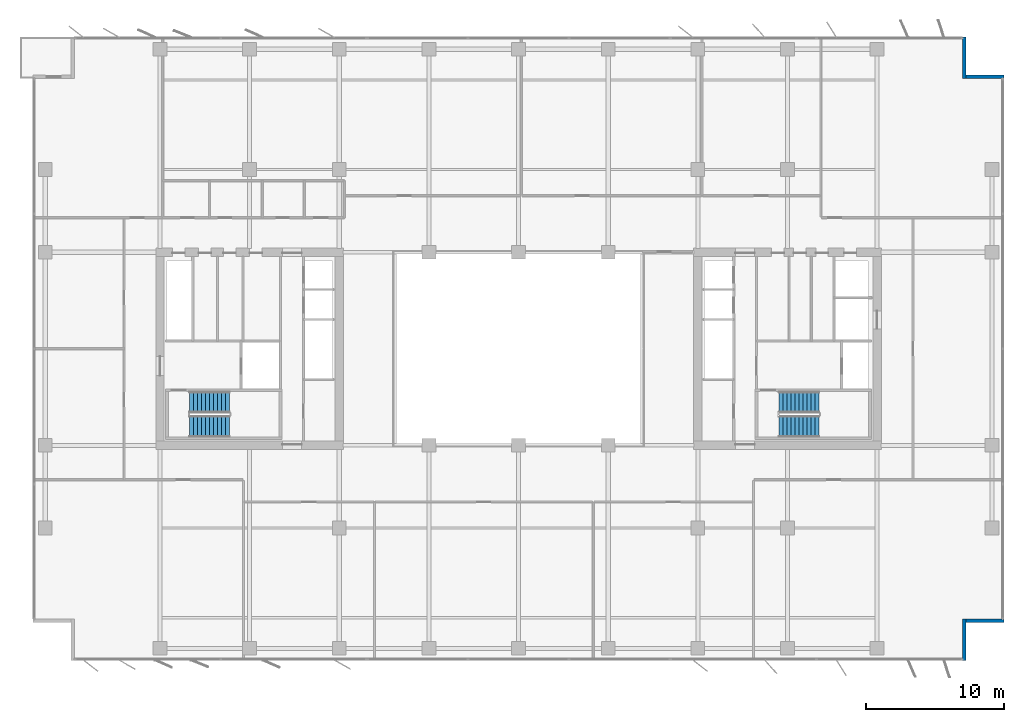
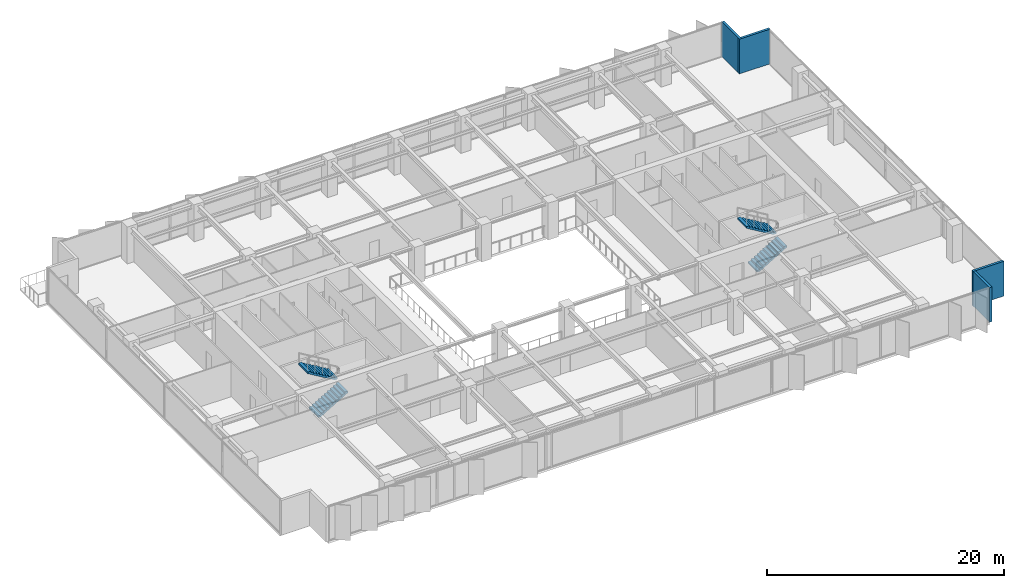
# One storey, part 18 of 22: 4 stair flights, 4 walls, 2 elements without a shape of their own.
"""IFC4 building model written with IfcOpenShell, lengths in metres."""

from ifc_helpers import new_model, si_unit, direction, frame, frame_2d, origin, place, context, subcontext, project, spatial, polyline, rectangle, outline, extrude, material, layer, layer_set, type_object, element, aggregate, save


model = new_model("IFC4")

# Units and contexts
model_context = context("Model", 3, precision=1e-05, world=origin(), true_north=direction((0.0, 1.0)))
body_context = subcontext(model_context, "Body", "Model", "MODEL_VIEW")
ifc_project = project(units=[si_unit("LENGTHUNIT", "METRE"), si_unit("AREAUNIT", "SQUARE_METRE"), si_unit("VOLUMEUNIT", "CUBIC_METRE"), si_unit("PLANEANGLEUNIT", "RADIAN"), si_unit("MASSUNIT", "GRAM", prefix="KILO")], contexts=[model_context])

# Site, building, storey
site_placement = place(None, origin())
site = spatial("IfcSite", under=ifc_project, at=site_placement, CompositionType="ELEMENT")
building_placement = place(site_placement, origin())
building = spatial("IfcBuilding", under=site, at=building_placement, Name="Putna Gate Headquarters", CompositionType="ELEMENT")
storey_placement = place(building_placement, frame((0.0, 0.0, 148.0)))
storey = spatial("IfcBuildingStorey", under=building, at=storey_placement, Name="L36", CompositionType="ELEMENT", Elevation=148.0)

# Walls
ifc_material_1 = material(Name="Precast concrete C40/50", Category="concrete")
ifc_layer = layer(ifc_material_1, 0.239990234375)
ifc_layer_set = layer_set([ifc_layer], Name="Precast concrete C40/50")
wall_type = type_object("IfcWallType", Name="WALL-EXT-TERR-240", PredefinedType="STANDARD", material=ifc_layer_set)
for number, where, z_axis, x_axis, name in (
    (1, (71.320068359375, 48.60009765625, 0.0), (0.0, 0.0, 1.0), (0.0, -1.0, 0.0), "L36 Corner Notch Return Wall NE-V"),
    (2, (71.199951171875, 45.719970703125, 0.0), (0.0, 0.0, 1.0), (1.0, 0.0, 0.0), "L36 Corner Notch Return Wall NE-H"),
    (3, (71.320068359375, 6.39990234375, 0.0), (0.0, 0.0, 1.0), (0.0, -1.0, 0.0), "L36 Corner Notch Return Wall SE-V"),
    (4, (74.199951171875, 6.280029296875, 0.0), (0.0, 0.0, 1.0), (-1.0, 0.0, 0.0), "L36 Corner Notch Return Wall SE-H"),
):
    element("IfcWall", number, at=place(storey_placement, frame(where, z_axis=z_axis, x_axis=x_axis)), inside=storey, type_object=wall_type, Name=name, PredefinedType="STANDARD", context=body_context, shape_type="SweptSolid", body=[
        extrude(rectangle(XDim=3.0, YDim=0.239990234375, at=frame_2d((1.5, 0.0))), origin(), (0.0, 0.0, 1.0), 3.572021484375),
    ])

# Stair, stair flights
ifc_material_2 = material(Name="Concrete C40/50", Category="concrete")
stair_type_1 = type_object("IfcStairType", Name="STAIR-ST1", PredefinedType="HALF_TURN_STAIR", material=ifc_material_2)
stair_1_placement = place(storey_placement, origin())
stair_1 = element("IfcStair", 5, at=stair_1_placement, inside=storey, type_object=stair_type_1, Name="L36 West Core Exit Stair ST1", PredefinedType="HALF_TURN_STAIR")
stair_flight_type_1 = type_object("IfcStairFlightType", Name="FLIGHT-ST1", PredefinedType="STRAIGHT", material=ifc_material_2)
stair_flight_1_placement = place(storey_placement, frame((15.14990234375, 20.375, 0.0), z_axis=(0.0, 0.0, 1.0), x_axis=(1.0, 0.0, 0.0)))
stair_flight_1 = element("IfcStairFlight", 6, at=stair_flight_1_placement, type_object=stair_flight_type_1, Name="ST1 flight 1", NumberOfRisers=11, NumberOfTreads=10, PredefinedType="STRAIGHT", RiserHeight=0.172727273, TreadLength=0.29, context=body_context, shape_type="SweptSolid", body=[
    extrude(outline(polyline([(0.0, 0.0), (0.0, 0.172607421875), (0.2900390625, 0.172607421875), (0.2900390625, 0.345458984375), (0.580078125, 0.345458984375), (0.580078125, 0.51806640625), (0.8701171875, 0.51806640625), (0.8701171875, 0.69091796875), (1.159912109375, 0.69091796875), (1.159912109375, 0.863525390625), (1.449951171875, 0.863525390625), (1.449951171875, 1.036376953125), (1.739990234375, 1.036376953125), (1.739990234375, 1.208984375), (2.030029296875, 1.208984375), (2.030029296875, 1.3818359375), (2.320068359375, 1.3818359375), (2.320068359375, 1.554443359375), (2.610107421875, 1.554443359375), (2.610107421875, 1.727294921875), (2.89990234375, 1.727294921875), (2.89990234375, 1.89990234375), (2.89990234375, 1.552734375), (0.29296875, 0.0), (0.0, 0.0)])), frame((0.0, 0.77490234375, 0.0), z_axis=(0.0, -1.0, 0.0), x_axis=(1.0, 0.0, 0.0)), (0.0, 0.0, 1.0), 1.550048828125),
])
stair_flight_2_placement = place(storey_placement, frame((18.050048828125, 22.125, 1.89990234375), z_axis=(0.0, 0.0, 1.0), x_axis=(-1.0, 0.0, 0.0)))
stair_flight_2 = element("IfcStairFlight", 7, at=stair_flight_2_placement, type_object=stair_flight_type_1, Name="ST1 flight 2", NumberOfRisers=11, NumberOfTreads=10, PredefinedType="STRAIGHT", RiserHeight=0.172727273, TreadLength=0.29, context=body_context, shape_type="SweptSolid", body=[
    extrude(outline(polyline([(0.0, 0.0), (0.0, 0.172607421875), (0.2900390625, 0.172607421875), (0.2900390625, 0.345458984375), (0.580078125, 0.345458984375), (0.580078125, 0.51806640625), (0.8701171875, 0.51806640625), (0.8701171875, 0.69091796875), (1.159912109375, 0.69091796875), (1.159912109375, 0.863525390625), (1.449951171875, 0.863525390625), (1.449951171875, 1.036376953125), (1.739990234375, 1.036376953125), (1.739990234375, 1.208984375), (2.030029296875, 1.208984375), (2.030029296875, 1.3818359375), (2.320068359375, 1.3818359375), (2.320068359375, 1.554443359375), (2.610107421875, 1.554443359375), (2.610107421875, 1.727294921875), (2.89990234375, 1.727294921875), (2.89990234375, 1.89990234375), (2.89990234375, 1.552734375), (0.29296875, 0.0), (0.0, 0.0)])), frame((0.0, 0.77490234375, 0.0), z_axis=(0.0, -1.0, 0.0), x_axis=(1.0, 0.0, 0.0)), (0.0, 0.0, 1.0), 1.550048828125),
])
aggregate(stair_1, [stair_flight_1, stair_flight_2])

stair_type_2 = type_object("IfcStairType", Name="STAIR-ST2", PredefinedType="HALF_TURN_STAIR", material=ifc_material_2)
stair_2_placement = place(storey_placement, origin())
stair_2 = element("IfcStair", 8, at=stair_2_placement, inside=storey, type_object=stair_type_2, Name="L36 East Core Exit Stair ST2", PredefinedType="HALF_TURN_STAIR")
stair_flight_type_2 = type_object("IfcStairFlightType", Name="FLIGHT-ST2", PredefinedType="STRAIGHT", material=ifc_material_2)
stair_flight_3_placement = place(storey_placement, frame((57.89990234375, 20.375, 0.0), z_axis=(0.0, 0.0, 1.0), x_axis=(1.0, 0.0, 0.0)))
stair_flight_3 = element("IfcStairFlight", 9, at=stair_flight_3_placement, type_object=stair_flight_type_2, Name="ST2 flight 1", NumberOfRisers=11, NumberOfTreads=10, PredefinedType="STRAIGHT", RiserHeight=0.172727273, TreadLength=0.29, context=body_context, shape_type="SweptSolid", body=[
    extrude(outline(polyline([(0.0, 0.0), (0.0, 0.172607421875), (0.2900390625, 0.172607421875), (0.2900390625, 0.345458984375), (0.580078125, 0.345458984375), (0.580078125, 0.51806640625), (0.8701171875, 0.51806640625), (0.8701171875, 0.69091796875), (1.159912109375, 0.69091796875), (1.159912109375, 0.863525390625), (1.449951171875, 0.863525390625), (1.449951171875, 1.036376953125), (1.739990234375, 1.036376953125), (1.739990234375, 1.208984375), (2.030029296875, 1.208984375), (2.030029296875, 1.3818359375), (2.320068359375, 1.3818359375), (2.320068359375, 1.554443359375), (2.610107421875, 1.554443359375), (2.610107421875, 1.727294921875), (2.89990234375, 1.727294921875), (2.89990234375, 1.89990234375), (2.89990234375, 1.552734375), (0.29296875, 0.0), (0.0, 0.0)])), frame((0.0, 0.77490234375, 0.0), z_axis=(0.0, -1.0, 0.0), x_axis=(1.0, 0.0, 0.0)), (0.0, 0.0, 1.0), 1.550048828125),
])
stair_flight_4_placement = place(storey_placement, frame((60.800048828125, 22.125, 1.89990234375), z_axis=(0.0, 0.0, 1.0), x_axis=(-1.0, 0.0, 0.0)))
stair_flight_4 = element("IfcStairFlight", 10, at=stair_flight_4_placement, type_object=stair_flight_type_2, Name="ST2 flight 2", NumberOfRisers=11, NumberOfTreads=10, PredefinedType="STRAIGHT", RiserHeight=0.172727273, TreadLength=0.29, context=body_context, shape_type="SweptSolid", body=[
    extrude(outline(polyline([(0.0, 0.0), (0.0, 0.172607421875), (0.2900390625, 0.172607421875), (0.2900390625, 0.345458984375), (0.580078125, 0.345458984375), (0.580078125, 0.51806640625), (0.8701171875, 0.51806640625), (0.8701171875, 0.69091796875), (1.159912109375, 0.69091796875), (1.159912109375, 0.863525390625), (1.449951171875, 0.863525390625), (1.449951171875, 1.036376953125), (1.739990234375, 1.036376953125), (1.739990234375, 1.208984375), (2.030029296875, 1.208984375), (2.030029296875, 1.3818359375), (2.320068359375, 1.3818359375), (2.320068359375, 1.554443359375), (2.610107421875, 1.554443359375), (2.610107421875, 1.727294921875), (2.89990234375, 1.727294921875), (2.89990234375, 1.89990234375), (2.89990234375, 1.552734375), (0.29296875, 0.0), (0.0, 0.0)])), frame((0.0, 0.77490234375, 0.0), z_axis=(0.0, -1.0, 0.0), x_axis=(1.0, 0.0, 0.0)), (0.0, 0.0, 1.0), 1.550048828125),
])
aggregate(stair_2, [stair_flight_3, stair_flight_4])

save(model, "model.ifc")
